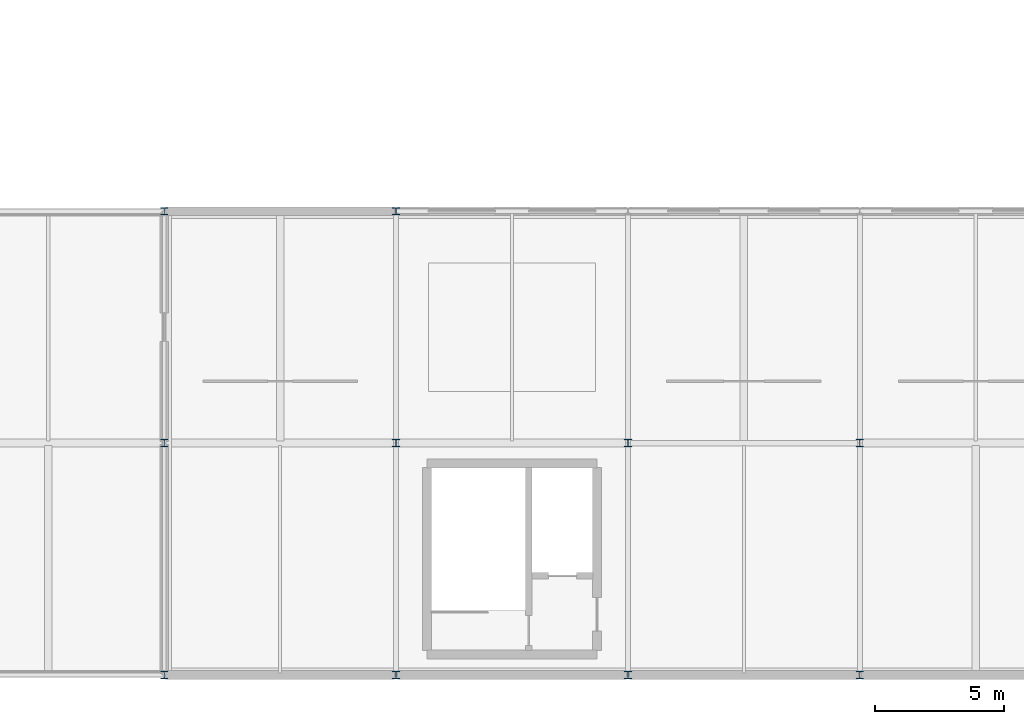
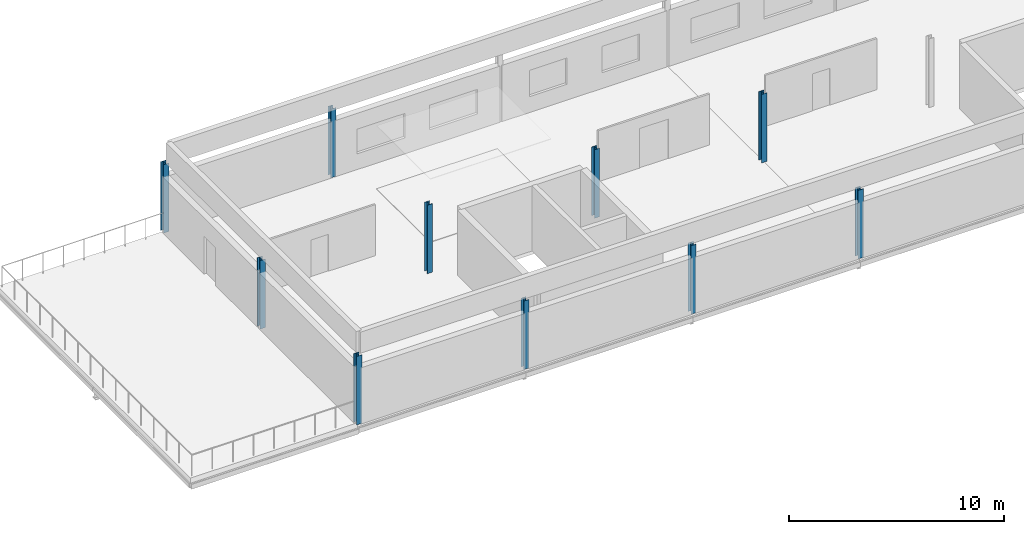
# One storey, part 1 of 18: 10 columns.
"""IFC4 building model written with IfcOpenShell, lengths in metres."""

from ifc_helpers import new_model, si_unit, direction, frame, origin, origin_2d, place, context, subcontext, project, spatial, i_section, extrude, material, material_profile, profile_set, type_object, element, save


model = new_model("IFC4")

# Units and contexts
model_context = context("Model", 3, precision=1e-05, world=origin(), true_north=direction((0.0, 1.0)))
body_context = subcontext(model_context, "Body", "Model", "MODEL_VIEW")
ifc_project = project(units=[si_unit("LENGTHUNIT", "METRE"), si_unit("AREAUNIT", "SQUARE_METRE"), si_unit("VOLUMEUNIT", "CUBIC_METRE"), si_unit("PLANEANGLEUNIT", "RADIAN"), si_unit("MASSUNIT", "GRAM", prefix="KILO")], contexts=[model_context])

# Site, building, storey
site_placement = place(None, origin())
site = spatial("IfcSite", under=ifc_project, at=site_placement, CompositionType="ELEMENT")
building_placement = place(site_placement, origin())
building = spatial("IfcBuilding", under=site, at=building_placement, Name="Kildeholm Park Wholesale Market", CompositionType="ELEMENT")
storey_placement = place(building_placement, frame((0.0, 0.0, 13.5)))
storey = spatial("IfcBuildingStorey", under=building, at=storey_placement, Name="L03", CompositionType="ELEMENT", Elevation=13.5)

# Columns
ifc_material = material(Name="Steel S355", Category="steel")
ifc_material_profile = material_profile(ifc_material, i_section(OverallWidth=0.280029296875, OverallDepth=0.280029296875, WebThickness=0.010498046875, FlangeThickness=0.01806640625, FilletRadius=0.02392578125, at=origin_2d()), Name="HEB 280")
ifc_profile_set = profile_set([ifc_material_profile], Name="Steel S355")
column_type = type_object("IfcColumnType", Name="Column C-S02 HEB 280", PredefinedType="COLUMN", material=ifc_profile_set)
for number, where, z_axis, x_axis, name in (
    (1, (18.0, 0.0, 0.0), (0.0, 0.0, 1.0), (1.0, 0.0, 0.0), "Column V5W-018-000 L03 COL-0654"),
    (2, (18.0, 9.0, 0.0), (0.0, 0.0, 1.0), (1.0, 0.0, 0.0), "Column V5W-018-009 L03 COL-0658"),
    (3, (18.0, 18.0, 0.0), (0.0, 0.0, 1.0), (1.0, 0.0, 0.0), "Column V5W-018-018 L03 COL-0662"),
    (4, (27.0, 0.0, 0.0), (0.0, 0.0, 1.0), (1.0, 0.0, 0.0), "Column V5W-027-000 L03 COL-0668"),
    (5, (27.0, 9.0, 0.0), (0.0, 0.0, 1.0), (1.0, 0.0, 0.0), "Column V5W-027-009 L03 COL-0672"),
    (6, (27.0, 18.0, 0.0), (0.0, 0.0, 1.0), (1.0, 0.0, 0.0), "Column V5W-027-018 L03 COL-0676"),
    (7, (36.0, 0.0, 0.0), (0.0, 0.0, 1.0), (1.0, 0.0, 0.0), "Column V5W-036-000 L03 COL-0682"),
    (8, (36.0, 9.0, 0.0), (0.0, 0.0, 1.0), (1.0, 0.0, 0.0), "Column V5W-036-009 L03 COL-0686"),
    (9, (45.0, 0.0, 0.0), (0.0, 0.0, 1.0), (1.0, 0.0, 0.0), "Column V5W-045-000 L03 COL-0696"),
    (10, (45.0, 9.0, 0.0), (0.0, 0.0, 1.0), (1.0, 0.0, 0.0), "Column V5W-045-009 L03 COL-0700"),
):
    element("IfcColumn", number, at=place(storey_placement, frame(where, z_axis=z_axis, x_axis=x_axis)), inside=storey, type_object=column_type, Name=name, PredefinedType="COLUMN", context=body_context, shape_type="SweptSolid", body=[
        extrude(i_section(OverallWidth=0.280029296875, OverallDepth=0.280029296875, WebThickness=0.010498046875, FlangeThickness=0.01806640625, FilletRadius=0.02392578125, at=origin_2d()), origin(), (0.0, 0.0, 1.0), 3.89990234375),
    ])

save(model, "model.ifc")
